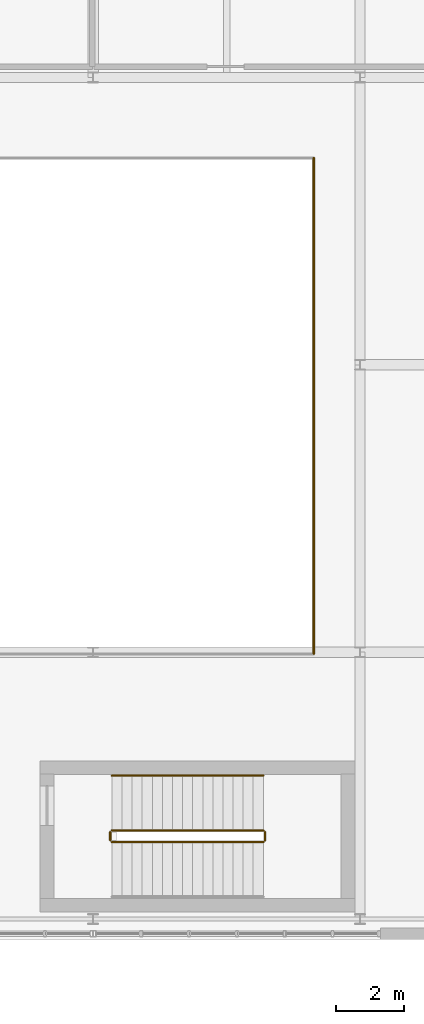
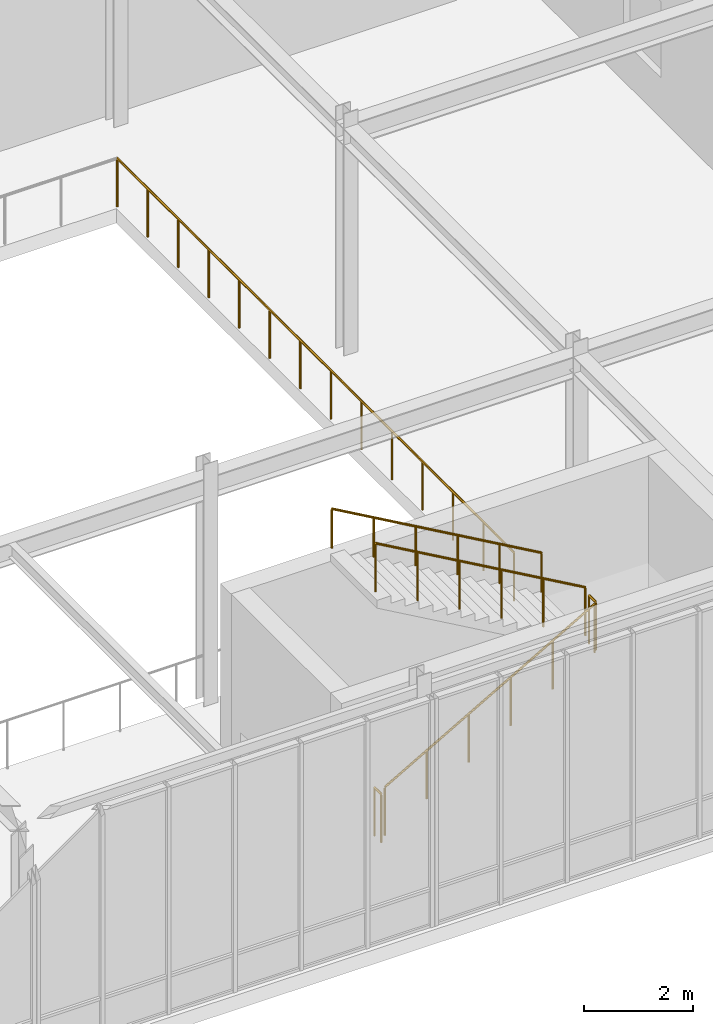
# One storey, part 138 of 139: 6 railings.
"""IFC4 building model written with IfcOpenShell, lengths in metres."""

from ifc_helpers import new_model, si_unit, direction, frame, origin, origin_2d, place, context, subcontext, project, spatial, circle, extrude, material, type_object, element, save


model = new_model("IFC4")

# Units and contexts
model_context = context("Model", 3, precision=1e-05, world=origin(), true_north=direction((0.0, 1.0)))
body_context = subcontext(model_context, "Body", "Model", "MODEL_VIEW")
ifc_project = project(units=[si_unit("LENGTHUNIT", "METRE"), si_unit("AREAUNIT", "SQUARE_METRE"), si_unit("VOLUMEUNIT", "CUBIC_METRE"), si_unit("PLANEANGLEUNIT", "RADIAN"), si_unit("MASSUNIT", "GRAM", prefix="KILO")], contexts=[model_context])

# Site, building, storey
site_placement = place(None, origin())
site = spatial("IfcSite", under=ifc_project, at=site_placement, CompositionType="ELEMENT")
building_placement = place(site_placement, origin())
building = spatial("IfcBuilding", under=site, at=building_placement, Name="Zayran Congress Hotel", CompositionType="ELEMENT")
storey_placement = place(building_placement, frame((0.0, 0.0, 5.39990234375)))
storey = spatial("IfcBuildingStorey", under=building, at=storey_placement, Name="L01", CompositionType="ELEMENT", Elevation=5.39990234375)

# Railings
ifc_material_1 = material(Name="Painted steel balustrade", Category="steel")
railing_type_1 = type_object("IfcRailingType", Name="TP-GRD-INT", PredefinedType="GUARDRAIL", material=ifc_material_1)
railing_1_placement = place(storey_placement, frame((176.949951171875, 87.25, 0.1689453125)))
element("IfcRailing", 1, at=railing_1_placement, inside=storey, type_object=railing_type_1, Name="L01 ST-10 stair guard 1", PredefinedType="GUARDRAIL", context=body_context, shape_type="SweptSolid", body=[
    extrude(circle(Radius=0.02392578125, at=origin_2d()), frame((0.0, 0.0, 1.076171875), z_axis=(0.868019072493, 0.0, 0.49653085482), x_axis=(0.0, 1.0, 0.0)), (0.0, 0.0, 1.0), 5.097900390625),
    extrude(circle(Radius=0.02099609375, at=origin_2d()), origin(), (0.0, 0.0, 1.0), 1.052001953125),
    extrude(circle(Radius=0.02099609375, at=origin_2d()), frame((0.885009765625, 0.0, 0.50634765625)), (0.0, 0.0, 1.0), 1.052001953125),
    extrude(circle(Radius=0.02099609375, at=origin_2d()), frame((1.77001953125, 0.0, 1.012451171875)), (0.0, 0.0, 1.0), 1.052001953125),
    extrude(circle(Radius=0.02099609375, at=origin_2d()), frame((2.655029296875, 0.0, 1.518798828125)), (0.0, 0.0, 1.0), 1.052001953125),
    extrude(circle(Radius=0.02099609375, at=origin_2d()), frame((3.5400390625, 0.0, 2.02490234375)), (0.0, 0.0, 1.0), 1.052001953125),
    extrude(circle(Radius=0.02099609375, at=origin_2d()), frame((4.425048828125, 0.0, 2.53125)), (0.0, 0.0, 1.0), 1.052001953125),
])
railing_2_placement = place(storey_placement, frame((181.425048828125, 87.300048828125, 2.7001953125)))
element("IfcRailing", 2, at=railing_2_placement, inside=storey, type_object=railing_type_1, Name="L01 ST-10 stair guard 2", PredefinedType="GUARDRAIL", context=body_context, shape_type="SweptSolid", body=[
    extrude(circle(Radius=0.02392578125, at=origin_2d()), frame((0.0, 0.0, 1.076171875), z_axis=(0.0, 1.0, 0.0), x_axis=(-1.0, 0.0, 0.0)), (0.0, 0.0, 1.0), 0.239990234375),
    extrude(circle(Radius=0.02099609375, at=origin_2d()), origin(), (0.0, 0.0, 1.0), 1.052001953125),
    extrude(circle(Radius=0.02099609375, at=origin_2d()), frame((0.0, 0.239990234375, 0.0)), (0.0, 0.0, 1.0), 1.052001953125),
])
railing_3_placement = place(storey_placement, frame((181.375, 87.590087890625, 2.868896484375)))
element("IfcRailing", 3, at=railing_3_placement, inside=storey, type_object=railing_type_1, Name="L01 ST-10 stair guard 3", PredefinedType="GUARDRAIL", context=body_context, shape_type="SweptSolid", body=[
    extrude(circle(Radius=0.02392578125, at=origin_2d()), frame((0.0, 0.0, 1.076171875), z_axis=(-0.868019072493, 0.0, 0.49653085482), x_axis=(0.0, -1.0, 0.0)), (0.0, 0.0, 1.0), 5.097900390625),
    extrude(circle(Radius=0.02099609375, at=origin_2d()), origin(), (0.0, 0.0, 1.0), 1.052001953125),
    extrude(circle(Radius=0.02099609375, at=origin_2d()), frame((-0.885009765625, 0.0, 0.50634765625)), (0.0, 0.0, 1.0), 1.052001953125),
    extrude(circle(Radius=0.02099609375, at=origin_2d()), frame((-1.77001953125, 0.0, 1.012451171875)), (0.0, 0.0, 1.0), 1.052001953125),
    extrude(circle(Radius=0.02099609375, at=origin_2d()), frame((-2.655029296875, 0.0, 1.518798828125)), (0.0, 0.0, 1.0), 1.052001953125),
    extrude(circle(Radius=0.02099609375, at=origin_2d()), frame((-3.5400390625, 0.0, 2.02490234375)), (0.0, 0.0, 1.0), 1.052001953125),
    extrude(circle(Radius=0.02099609375, at=origin_2d()), frame((-4.425048828125, 0.0, 2.53125)), (0.0, 0.0, 1.0), 1.052001953125),
])
railing_4_placement = place(storey_placement, frame((176.89990234375, 87.300048828125, 0.0)))
element("IfcRailing", 4, at=railing_4_placement, inside=storey, type_object=railing_type_1, Name="L01 ST-10 stair guard 4", PredefinedType="GUARDRAIL", context=body_context, shape_type="SweptSolid", body=[
    extrude(circle(Radius=0.02392578125, at=origin_2d()), frame((0.0, 0.0, 1.076171875), z_axis=(0.0, 1.0, 0.0), x_axis=(-1.0, 0.0, 0.0)), (0.0, 0.0, 1.0), 0.239990234375),
    extrude(circle(Radius=0.02099609375, at=origin_2d()), origin(), (0.0, 0.0, 1.0), 1.052001953125),
    extrude(circle(Radius=0.02099609375, at=origin_2d()), frame((0.0, 0.239990234375, 0.0)), (0.0, 0.0, 1.0), 1.052001953125),
])
railing_5_placement = place(storey_placement, frame((182.85009765625, 92.75, 0.0)))
element("IfcRailing", 5, at=railing_5_placement, inside=storey, type_object=railing_type_1, Name="V2 L01 Interior Void Guardrail V2-L01-BAL-E", PredefinedType="GUARDRAIL", context=body_context, shape_type="SweptSolid", body=[
    extrude(circle(Radius=0.02392578125, at=origin_2d()), frame((0.0, 0.0, 1.076171875), z_axis=(0.0, 1.0, 0.0), x_axis=(-1.0, 0.0, 0.0)), (0.0, 0.0, 1.0), 14.5),
    extrude(circle(Radius=0.02099609375, at=origin_2d()), origin(), (0.0, 0.0, 1.0), 1.052001953125),
    extrude(circle(Radius=0.02099609375, at=origin_2d()), frame((0.0, 1.115478515625, 0.0)), (0.0, 0.0, 1.0), 1.052001953125),
    extrude(circle(Radius=0.02099609375, at=origin_2d()), frame((0.0, 2.230712890625, 0.0)), (0.0, 0.0, 1.0), 1.052001953125),
    extrude(circle(Radius=0.02099609375, at=origin_2d()), frame((0.0, 3.34619140625, 0.0)), (0.0, 0.0, 1.0), 1.052001953125),
    extrude(circle(Radius=0.02099609375, at=origin_2d()), frame((0.0, 4.46142578125, 0.0)), (0.0, 0.0, 1.0), 1.052001953125),
    extrude(circle(Radius=0.02099609375, at=origin_2d()), frame((0.0, 5.576904296875, 0.0)), (0.0, 0.0, 1.0), 1.052001953125),
    extrude(circle(Radius=0.02099609375, at=origin_2d()), frame((0.0, 6.6923828125, 0.0)), (0.0, 0.0, 1.0), 1.052001953125),
    extrude(circle(Radius=0.02099609375, at=origin_2d()), frame((0.0, 7.8076171875, 0.0)), (0.0, 0.0, 1.0), 1.052001953125),
    extrude(circle(Radius=0.02099609375, at=origin_2d()), frame((0.0, 8.923095703125, 0.0)), (0.0, 0.0, 1.0), 1.052001953125),
    extrude(circle(Radius=0.02099609375, at=origin_2d()), frame((0.0, 10.03857421875, 0.0)), (0.0, 0.0, 1.0), 1.052001953125),
    extrude(circle(Radius=0.02099609375, at=origin_2d()), frame((0.0, 11.15380859375, 0.0)), (0.0, 0.0, 1.0), 1.052001953125),
    extrude(circle(Radius=0.02099609375, at=origin_2d()), frame((0.0, 12.269287109375, 0.0)), (0.0, 0.0, 1.0), 1.052001953125),
    extrude(circle(Radius=0.02099609375, at=origin_2d()), frame((0.0, 13.384521484375, 0.0)), (0.0, 0.0, 1.0), 1.052001953125),
    extrude(circle(Radius=0.02099609375, at=origin_2d()), frame((0.0, 14.5, 0.0)), (0.0, 0.0, 1.0), 1.052001953125),
])
ifc_material_2 = material(Name="Brushed stainless steel handrail", Category="steel")
railing_type_2 = type_object("IfcRailingType", Name="TP-HND-STR", PredefinedType="HANDRAIL", material=ifc_material_2)
railing_6_placement = place(storey_placement, frame((181.375, 89.18994140625, 2.868896484375)))
element("IfcRailing", 6, at=railing_6_placement, inside=storey, type_object=railing_type_2, Name="L01 ST-10 stair handrail 2", PredefinedType="HANDRAIL", context=body_context, shape_type="SweptSolid", body=[
    extrude(circle(Radius=0.02392578125, at=origin_2d()), frame((0.0, 0.0, 0.8759765625), z_axis=(-0.868019072493, 0.0, 0.49653085482), x_axis=(0.0, -1.0, 0.0)), (0.0, 0.0, 1.0), 5.097900390625),
    extrude(circle(Radius=0.02099609375, at=origin_2d()), origin(), (0.0, 0.0, 1.0), 0.851806640625),
    extrude(circle(Radius=0.02099609375, at=origin_2d()), frame((-0.885009765625, 0.0, 0.50634765625)), (0.0, 0.0, 1.0), 0.851806640625),
    extrude(circle(Radius=0.02099609375, at=origin_2d()), frame((-1.77001953125, 0.0, 1.012451171875)), (0.0, 0.0, 1.0), 0.851806640625),
    extrude(circle(Radius=0.02099609375, at=origin_2d()), frame((-2.655029296875, 0.0, 1.518798828125)), (0.0, 0.0, 1.0), 0.851806640625),
    extrude(circle(Radius=0.02099609375, at=origin_2d()), frame((-3.5400390625, 0.0, 2.02490234375)), (0.0, 0.0, 1.0), 0.851806640625),
    extrude(circle(Radius=0.02099609375, at=origin_2d()), frame((-4.425048828125, 0.0, 2.53125)), (0.0, 0.0, 1.0), 0.851806640625),
])

save(model, "model.ifc")
